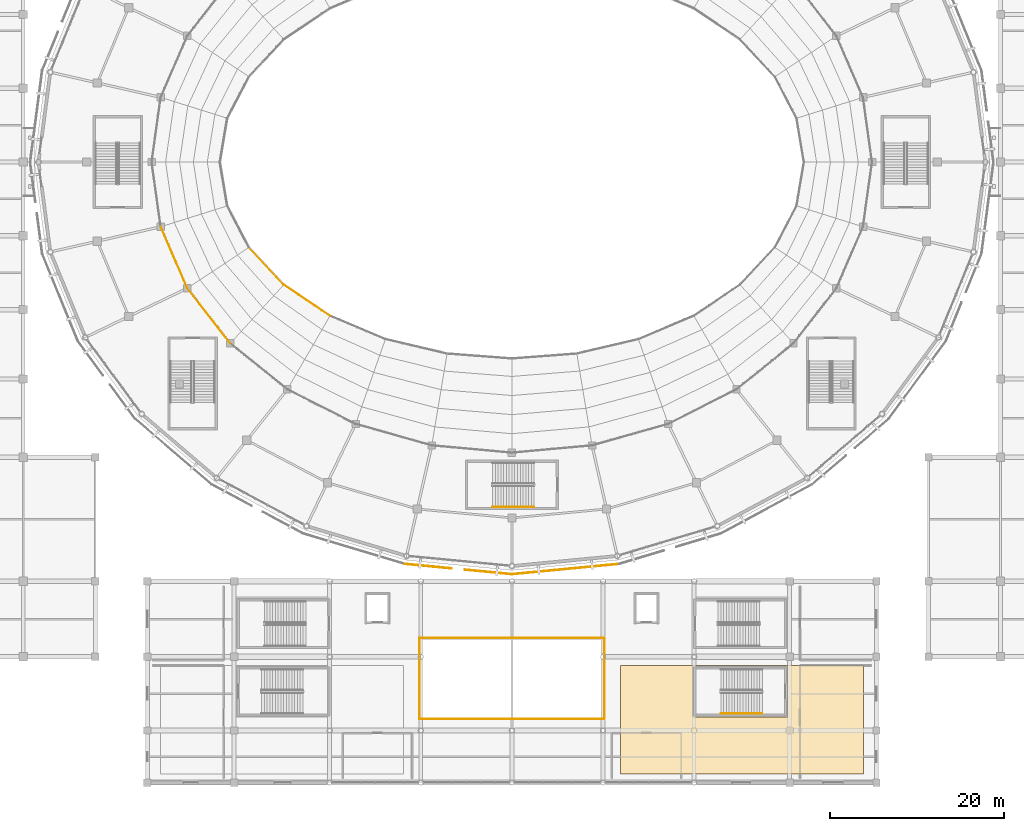
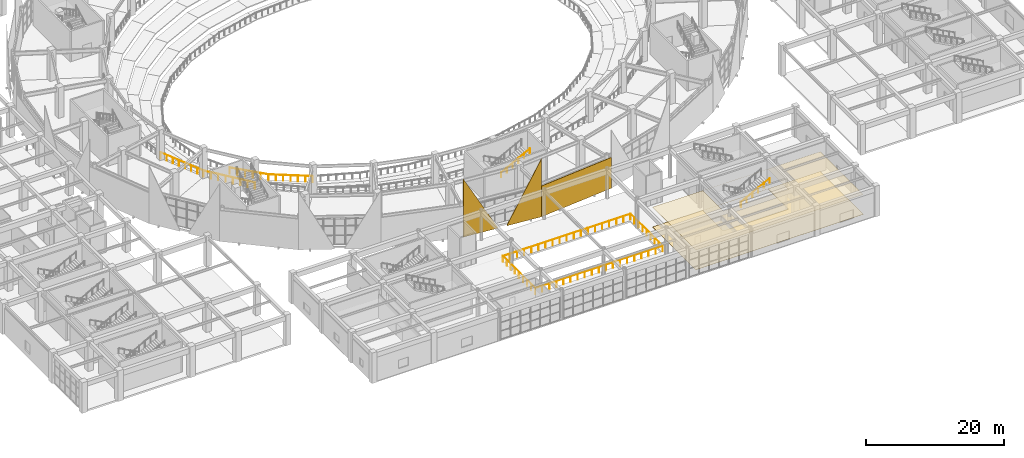
# One storey, part 96 of 120: 10 railings, 5 coverings.
"""IFC4 building model written with IfcOpenShell, lengths in metres."""

from ifc_helpers import new_model, si_unit, direction, frame, frame_2d, origin, origin_2d, place, context, subcontext, project, spatial, polyline, rectangle, circle, outline, extrude, material, layer, layer_set, type_object, element, save


model = new_model("IFC4")

# Units and contexts
model_context = context("Model", 3, precision=1e-05, world=origin(), true_north=direction((0.0, 1.0)))
body_context = subcontext(model_context, "Body", "Model", "MODEL_VIEW")
ifc_project = project(units=[si_unit("LENGTHUNIT", "METRE"), si_unit("AREAUNIT", "SQUARE_METRE"), si_unit("VOLUMEUNIT", "CUBIC_METRE"), si_unit("PLANEANGLEUNIT", "RADIAN"), si_unit("MASSUNIT", "GRAM", prefix="KILO")], contexts=[model_context])

# Site, building, storey
site_placement = place(None, origin())
site = spatial("IfcSite", under=ifc_project, at=site_placement, CompositionType="ELEMENT")
building_placement = place(site_placement, origin())
building = spatial("IfcBuilding", under=site, at=building_placement, Name="Cuetzalor Civic Arena", CompositionType="ELEMENT")
storey_placement = place(building_placement, frame((0.0, 0.0, 6.0)))
storey = spatial("IfcBuildingStorey", under=building, at=storey_placement, Name="L01", CompositionType="ELEMENT", Elevation=6.0)

# Covering
ifc_material_1 = material(Name="Perforated acoustic mineral ceiling board", Category="gypsum")
ifc_layer_1 = layer(ifc_material_1, 0.02490234375)
ifc_layer_set_1 = layer_set([ifc_layer_1], Name="Perforated acoustic mineral ceiling board")
covering_type_1 = type_object("IfcCoveringType", Name="AcousticMineralCeiling_25", PredefinedType="CEILING", material=ifc_layer_set_1)
covering_1_placement = place(storey_placement, frame((0.0, 0.0, 3.5)))
element("IfcCovering", 1, at=covering_1_placement, inside=storey, type_object=covering_type_1, Name="Civic Gallery East Acoustic Ceiling", PredefinedType="CEILING", context=body_context, shape_type="SweptSolid", body=[
    extrude(outline(polyline([(12.5, -58.0), (40.5, -58.0), (40.5, -70.5), (12.5, -70.5), (12.5, -58.0)]), holes=[polyline([(31.75, -63.949951171875), (31.75, -58.050048828125), (20.85009765625, -58.050048828125), (20.85009765625, -63.949951171875), (31.75, -63.949951171875)])]), origin(), (0.0, 0.0, 1.0), 0.02490234375),
])

# Railings
ifc_material_2 = material(Name="Reseda-green Steel S355 and laminated glass guard", Category="steel")
railing_type_1 = type_object("IfcRailingType", Name="BowlSightlineGuard_1100", PredefinedType="BALUSTRADE", material=ifc_material_2)
railing_1_placement = place(storey_placement, frame((-30.317626953125, -9.827392578125, -4.800048828125)))
element("IfcRailing", 2, at=railing_1_placement, inside=storey, type_object=railing_type_1, Name="Lower Bowl Front Sightline Guard S17", PredefinedType="BALUSTRADE", context=body_context, shape_type="SweptSolid", body=[
    extrude(circle(Radius=0.02392578125, at=origin_2d()), frame((0.0, 0.0, 1.076171875), z_axis=(0.68237895225, -0.73099860843, 0.0), x_axis=(0.73099860843, 0.68237895225, 0.0)), (0.0, 0.0, 1.0), 5.875),
    extrude(circle(Radius=0.02099609375, at=origin_2d()), origin(), (0.0, 0.0, 1.0), 1.052001953125),
    extrude(circle(Radius=0.02099609375, at=origin_2d()), frame((0.8017578125, -0.85888671875, 0.0)), (0.0, 0.0, 1.0), 1.052001953125),
    extrude(circle(Radius=0.02099609375, at=origin_2d()), frame((1.603515625, -1.7177734375, 0.0)), (0.0, 0.0, 1.0), 1.052001953125),
    extrude(circle(Radius=0.02099609375, at=origin_2d()), frame((2.405517578125, -2.576904296875, 0.0)), (0.0, 0.0, 1.0), 1.052001953125),
    extrude(circle(Radius=0.02099609375, at=origin_2d()), frame((3.207275390625, -3.435791015625, 0.0)), (0.0, 0.0, 1.0), 1.052001953125),
    extrude(circle(Radius=0.02099609375, at=origin_2d()), frame((4.009033203125, -4.294677734375, 0.0)), (0.0, 0.0, 1.0), 1.052001953125),
])
railing_2_placement = place(storey_placement, frame((-26.30859375, -14.1220703125, -4.800048828125)))
element("IfcRailing", 3, at=railing_2_placement, inside=storey, type_object=railing_type_1, Name="Lower Bowl Front Sightline Guard S18", PredefinedType="BALUSTRADE", context=body_context, shape_type="SweptSolid", body=[
    extrude(circle(Radius=0.02392578125, at=origin_2d()), frame((0.0, 0.0, 1.076171875), z_axis=(0.829574202753, -0.558396491864, 0.0), x_axis=(0.558396491864, 0.829574202753, 0.0)), (0.0, 0.0, 1.0), 6.422607421875),
    extrude(circle(Radius=0.02099609375, at=origin_2d()), origin(), (0.0, 0.0, 1.0), 1.052001953125),
    extrude(circle(Radius=0.02099609375, at=origin_2d()), frame((0.887939453125, -0.59765625, 0.0)), (0.0, 0.0, 1.0), 1.052001953125),
    extrude(circle(Radius=0.02099609375, at=origin_2d()), frame((1.776123046875, -1.195556640625, 0.0)), (0.0, 0.0, 1.0), 1.052001953125),
    extrude(circle(Radius=0.02099609375, at=origin_2d()), frame((2.6640625, -1.793212890625, 0.0)), (0.0, 0.0, 1.0), 1.052001953125),
    extrude(circle(Radius=0.02099609375, at=origin_2d()), frame((3.552001953125, -2.390869140625, 0.0)), (0.0, 0.0, 1.0), 1.052001953125),
    extrude(circle(Radius=0.02099609375, at=origin_2d()), frame((4.440185546875, -2.98876953125, 0.0)), (0.0, 0.0, 1.0), 1.052001953125),
    extrude(circle(Radius=0.02099609375, at=origin_2d()), frame((5.328125, -3.58642578125, 0.0)), (0.0, 0.0, 1.0), 1.052001953125),
])
railing_3_placement = place(storey_placement, frame((-40.45947265625, -7.45458984375, 0.0)))
element("IfcRailing", 4, at=railing_3_placement, inside=storey, type_object=railing_type_1, Name="Lower Bowl Concourse Rim Balustrade S16", PredefinedType="BALUSTRADE", context=body_context, shape_type="SweptSolid", body=[
    extrude(circle(Radius=0.02392578125, at=origin_2d()), frame((0.0, 0.0, 1.076171875), z_axis=(0.397726401809, -0.917504065007, 0.0), x_axis=(0.917504065007, 0.397726401809, 0.0)), (0.0, 0.0, 1.0), 7.71728515625),
    extrude(circle(Radius=0.02099609375, at=origin_2d()), origin(), (0.0, 0.0, 1.0), 1.052001953125),
    extrude(circle(Radius=0.02099609375, at=origin_2d()), frame((0.4384765625, -1.011474609375, 0.0)), (0.0, 0.0, 1.0), 1.052001953125),
    extrude(circle(Radius=0.02099609375, at=origin_2d()), frame((0.876953125, -2.02294921875, 0.0)), (0.0, 0.0, 1.0), 1.052001953125),
    extrude(circle(Radius=0.02099609375, at=origin_2d()), frame((1.3154296875, -3.034423828125, 0.0)), (0.0, 0.0, 1.0), 1.052001953125),
    extrude(circle(Radius=0.02099609375, at=origin_2d()), frame((1.75390625, -4.046142578125, 0.0)), (0.0, 0.0, 1.0), 1.052001953125),
    extrude(circle(Radius=0.02099609375, at=origin_2d()), frame((2.1923828125, -5.0576171875, 0.0)), (0.0, 0.0, 1.0), 1.052001953125),
    extrude(circle(Radius=0.02099609375, at=origin_2d()), frame((2.630859375, -6.069091796875, 0.0)), (0.0, 0.0, 1.0), 1.052001953125),
    extrude(circle(Radius=0.02099609375, at=origin_2d()), frame((3.0693359375, -7.08056640625, 0.0)), (0.0, 0.0, 1.0), 1.052001953125),
])
railing_4_placement = place(storey_placement, frame((-37.39013671875, -14.53515625, 0.0)))
element("IfcRailing", 5, at=railing_4_placement, inside=storey, type_object=railing_type_1, Name="Lower Bowl Concourse Rim Balustrade S17", PredefinedType="BALUSTRADE", context=body_context, shape_type="SweptSolid", body=[
    extrude(circle(Radius=0.02392578125, at=origin_2d()), frame((0.0, 0.0, 1.076171875), z_axis=(0.614234549024, -0.78912351301, 0.0), x_axis=(0.78912351301, 0.614234549024, 0.0)), (0.0, 0.0, 1.0), 8.049072265625),
    extrude(circle(Radius=0.02099609375, at=origin_2d()), origin(), (0.0, 0.0, 1.0), 1.052001953125),
    extrude(circle(Radius=0.02099609375, at=origin_2d()), frame((0.706298828125, -0.907470703125, 0.0)), (0.0, 0.0, 1.0), 1.052001953125),
    extrude(circle(Radius=0.02099609375, at=origin_2d()), frame((1.41259765625, -1.814697265625, 0.0)), (0.0, 0.0, 1.0), 1.052001953125),
    extrude(circle(Radius=0.02099609375, at=origin_2d()), frame((2.118896484375, -2.72216796875, 0.0)), (0.0, 0.0, 1.0), 1.052001953125),
    extrude(circle(Radius=0.02099609375, at=origin_2d()), frame((2.8251953125, -3.629638671875, 0.0)), (0.0, 0.0, 1.0), 1.052001953125),
    extrude(circle(Radius=0.02099609375, at=origin_2d()), frame((3.531494140625, -4.537109375, 0.0)), (0.0, 0.0, 1.0), 1.052001953125),
    extrude(circle(Radius=0.02099609375, at=origin_2d()), frame((4.23779296875, -5.4443359375, 0.0)), (0.0, 0.0, 1.0), 1.052001953125),
    extrude(circle(Radius=0.02099609375, at=origin_2d()), frame((4.944091796875, -6.351806640625, 0.0)), (0.0, 0.0, 1.0), 1.052001953125),
])
ifc_material_3 = material(Name="Reseda-green architectural Steel S355 balustrade", Category="steel")
railing_type_2 = type_object("IfcRailingType", Name="InteriorVoidBalustrade_1100", PredefinedType="BALUSTRADE", material=ifc_material_3)
railing_5_placement = place(storey_placement, frame((-10.64990234375, -64.14990234375, 0.0)))
element("IfcRailing", 6, at=railing_5_placement, inside=storey, type_object=railing_type_2, Name="South Foyer Atrium Void Balustrade L01-1", PredefinedType="BALUSTRADE", context=body_context, shape_type="SweptSolid", body=[
    extrude(circle(Radius=0.02392578125, at=origin_2d()), frame((0.0, 0.0, 1.076171875), z_axis=(1.0, 0.0, 0.0), x_axis=(0.0, 1.0, 0.0)), (0.0, 0.0, 1.0), 21.2998046875),
    extrude(circle(Radius=0.02099609375, at=origin_2d()), origin(), (0.0, 0.0, 1.0), 1.052001953125),
    extrude(circle(Radius=0.02099609375, at=origin_2d()), frame((1.183349609375, 0.0, 0.0)), (0.0, 0.0, 1.0), 1.052001953125),
    extrude(circle(Radius=0.02099609375, at=origin_2d()), frame((2.36669921875, 0.0, 0.0)), (0.0, 0.0, 1.0), 1.052001953125),
    extrude(circle(Radius=0.02099609375, at=origin_2d()), frame((3.550048828125, 0.0, 0.0)), (0.0, 0.0, 1.0), 1.052001953125),
    extrude(circle(Radius=0.02099609375, at=origin_2d()), frame((4.7333984375, 0.0, 0.0)), (0.0, 0.0, 1.0), 1.052001953125),
    extrude(circle(Radius=0.02099609375, at=origin_2d()), frame((5.91650390625, 0.0, 0.0)), (0.0, 0.0, 1.0), 1.052001953125),
    extrude(circle(Radius=0.02099609375, at=origin_2d()), frame((7.099853515625, 0.0, 0.0)), (0.0, 0.0, 1.0), 1.052001953125),
    extrude(circle(Radius=0.02099609375, at=origin_2d()), frame((8.283203125, 0.0, 0.0)), (0.0, 0.0, 1.0), 1.052001953125),
    extrude(circle(Radius=0.02099609375, at=origin_2d()), frame((9.466552734375, 0.0, 0.0)), (0.0, 0.0, 1.0), 1.052001953125),
    extrude(circle(Radius=0.02099609375, at=origin_2d()), frame((10.64990234375, 0.0, 0.0)), (0.0, 0.0, 1.0), 1.052001953125),
    extrude(circle(Radius=0.02099609375, at=origin_2d()), frame((11.833251953125, 0.0, 0.0)), (0.0, 0.0, 1.0), 1.052001953125),
    extrude(circle(Radius=0.02099609375, at=origin_2d()), frame((13.0166015625, 0.0, 0.0)), (0.0, 0.0, 1.0), 1.052001953125),
    extrude(circle(Radius=0.02099609375, at=origin_2d()), frame((14.199951171875, 0.0, 0.0)), (0.0, 0.0, 1.0), 1.052001953125),
    extrude(circle(Radius=0.02099609375, at=origin_2d()), frame((15.38330078125, 0.0, 0.0)), (0.0, 0.0, 1.0), 1.052001953125),
    extrude(circle(Radius=0.02099609375, at=origin_2d()), frame((16.56640625, 0.0, 0.0)), (0.0, 0.0, 1.0), 1.052001953125),
    extrude(circle(Radius=0.02099609375, at=origin_2d()), frame((17.749755859375, 0.0, 0.0)), (0.0, 0.0, 1.0), 1.052001953125),
    extrude(circle(Radius=0.02099609375, at=origin_2d()), frame((18.93310546875, 0.0, 0.0)), (0.0, 0.0, 1.0), 1.052001953125),
    extrude(circle(Radius=0.02099609375, at=origin_2d()), frame((20.116455078125, 0.0, 0.0)), (0.0, 0.0, 1.0), 1.052001953125),
    extrude(circle(Radius=0.02099609375, at=origin_2d()), frame((21.2998046875, 0.0, 0.0)), (0.0, 0.0, 1.0), 1.052001953125),
])
railing_6_placement = place(storey_placement, frame((10.64990234375, -64.14990234375, 0.0)))
element("IfcRailing", 7, at=railing_6_placement, inside=storey, type_object=railing_type_2, Name="South Foyer Atrium Void Balustrade L01-2", PredefinedType="BALUSTRADE", context=body_context, shape_type="SweptSolid", body=[
    extrude(circle(Radius=0.02392578125, at=origin_2d()), frame((0.0, 0.0, 1.076171875), z_axis=(0.0, 1.0, 0.0), x_axis=(-1.0, 0.0, 0.0)), (0.0, 0.0, 1.0), 9.2998046875),
    extrude(circle(Radius=0.02099609375, at=origin_2d()), origin(), (0.0, 0.0, 1.0), 1.052001953125),
    extrude(circle(Radius=0.02099609375, at=origin_2d()), frame((0.0, 1.16259765625, 0.0)), (0.0, 0.0, 1.0), 1.052001953125),
    extrude(circle(Radius=0.02099609375, at=origin_2d()), frame((0.0, 2.324951171875, 0.0)), (0.0, 0.0, 1.0), 1.052001953125),
    extrude(circle(Radius=0.02099609375, at=origin_2d()), frame((0.0, 3.4873046875, 0.0)), (0.0, 0.0, 1.0), 1.052001953125),
    extrude(circle(Radius=0.02099609375, at=origin_2d()), frame((0.0, 4.64990234375, 0.0)), (0.0, 0.0, 1.0), 1.052001953125),
    extrude(circle(Radius=0.02099609375, at=origin_2d()), frame((0.0, 5.8125, 0.0)), (0.0, 0.0, 1.0), 1.052001953125),
    extrude(circle(Radius=0.02099609375, at=origin_2d()), frame((0.0, 6.974853515625, 0.0)), (0.0, 0.0, 1.0), 1.052001953125),
    extrude(circle(Radius=0.02099609375, at=origin_2d()), frame((0.0, 8.13720703125, 0.0)), (0.0, 0.0, 1.0), 1.052001953125),
    extrude(circle(Radius=0.02099609375, at=origin_2d()), frame((0.0, 9.2998046875, 0.0)), (0.0, 0.0, 1.0), 1.052001953125),
])
railing_7_placement = place(storey_placement, frame((10.64990234375, -54.85009765625, 0.0)))
element("IfcRailing", 8, at=railing_7_placement, inside=storey, type_object=railing_type_2, Name="South Foyer Atrium Void Balustrade L01-3", PredefinedType="BALUSTRADE", context=body_context, shape_type="SweptSolid", body=[
    extrude(circle(Radius=0.02392578125, at=origin_2d()), frame((0.0, 0.0, 1.076171875), z_axis=(-1.0, 0.0, 0.0), x_axis=(0.0, -1.0, 0.0)), (0.0, 0.0, 1.0), 21.2998046875),
    extrude(circle(Radius=0.02099609375, at=origin_2d()), origin(), (0.0, 0.0, 1.0), 1.052001953125),
    extrude(circle(Radius=0.02099609375, at=origin_2d()), frame((-1.183349609375, 0.0, 0.0)), (0.0, 0.0, 1.0), 1.052001953125),
    extrude(circle(Radius=0.02099609375, at=origin_2d()), frame((-2.36669921875, 0.0, 0.0)), (0.0, 0.0, 1.0), 1.052001953125),
    extrude(circle(Radius=0.02099609375, at=origin_2d()), frame((-3.550048828125, 0.0, 0.0)), (0.0, 0.0, 1.0), 1.052001953125),
    extrude(circle(Radius=0.02099609375, at=origin_2d()), frame((-4.7333984375, 0.0, 0.0)), (0.0, 0.0, 1.0), 1.052001953125),
    extrude(circle(Radius=0.02099609375, at=origin_2d()), frame((-5.91650390625, 0.0, 0.0)), (0.0, 0.0, 1.0), 1.052001953125),
    extrude(circle(Radius=0.02099609375, at=origin_2d()), frame((-7.099853515625, 0.0, 0.0)), (0.0, 0.0, 1.0), 1.052001953125),
    extrude(circle(Radius=0.02099609375, at=origin_2d()), frame((-8.283203125, 0.0, 0.0)), (0.0, 0.0, 1.0), 1.052001953125),
    extrude(circle(Radius=0.02099609375, at=origin_2d()), frame((-9.466552734375, 0.0, 0.0)), (0.0, 0.0, 1.0), 1.052001953125),
    extrude(circle(Radius=0.02099609375, at=origin_2d()), frame((-10.64990234375, 0.0, 0.0)), (0.0, 0.0, 1.0), 1.052001953125),
    extrude(circle(Radius=0.02099609375, at=origin_2d()), frame((-11.833251953125, 0.0, 0.0)), (0.0, 0.0, 1.0), 1.052001953125),
    extrude(circle(Radius=0.02099609375, at=origin_2d()), frame((-13.0166015625, 0.0, 0.0)), (0.0, 0.0, 1.0), 1.052001953125),
    extrude(circle(Radius=0.02099609375, at=origin_2d()), frame((-14.199951171875, 0.0, 0.0)), (0.0, 0.0, 1.0), 1.052001953125),
    extrude(circle(Radius=0.02099609375, at=origin_2d()), frame((-15.38330078125, 0.0, 0.0)), (0.0, 0.0, 1.0), 1.052001953125),
    extrude(circle(Radius=0.02099609375, at=origin_2d()), frame((-16.56640625, 0.0, 0.0)), (0.0, 0.0, 1.0), 1.052001953125),
    extrude(circle(Radius=0.02099609375, at=origin_2d()), frame((-17.749755859375, 0.0, 0.0)), (0.0, 0.0, 1.0), 1.052001953125),
    extrude(circle(Radius=0.02099609375, at=origin_2d()), frame((-18.93310546875, 0.0, 0.0)), (0.0, 0.0, 1.0), 1.052001953125),
    extrude(circle(Radius=0.02099609375, at=origin_2d()), frame((-20.116455078125, 0.0, 0.0)), (0.0, 0.0, 1.0), 1.052001953125),
    extrude(circle(Radius=0.02099609375, at=origin_2d()), frame((-21.2998046875, 0.0, 0.0)), (0.0, 0.0, 1.0), 1.052001953125),
])
railing_8_placement = place(storey_placement, frame((-10.64990234375, -54.85009765625, 0.0)))
element("IfcRailing", 9, at=railing_8_placement, inside=storey, type_object=railing_type_2, Name="South Foyer Atrium Void Balustrade L01-4", PredefinedType="BALUSTRADE", context=body_context, shape_type="SweptSolid", body=[
    extrude(circle(Radius=0.02392578125, at=origin_2d()), frame((0.0, 0.0, 1.076171875), z_axis=(0.0, -1.0, 0.0), x_axis=(1.0, 0.0, 0.0)), (0.0, 0.0, 1.0), 9.2998046875),
    extrude(circle(Radius=0.02099609375, at=origin_2d()), origin(), (0.0, 0.0, 1.0), 1.052001953125),
    extrude(circle(Radius=0.02099609375, at=origin_2d()), frame((0.0, -1.16259765625, 0.0)), (0.0, 0.0, 1.0), 1.052001953125),
    extrude(circle(Radius=0.02099609375, at=origin_2d()), frame((0.0, -2.324951171875, 0.0)), (0.0, 0.0, 1.0), 1.052001953125),
    extrude(circle(Radius=0.02099609375, at=origin_2d()), frame((0.0, -3.4873046875, 0.0)), (0.0, 0.0, 1.0), 1.052001953125),
    extrude(circle(Radius=0.02099609375, at=origin_2d()), frame((0.0, -4.64990234375, 0.0)), (0.0, 0.0, 1.0), 1.052001953125),
    extrude(circle(Radius=0.02099609375, at=origin_2d()), frame((0.0, -5.8125, 0.0)), (0.0, 0.0, 1.0), 1.052001953125),
    extrude(circle(Radius=0.02099609375, at=origin_2d()), frame((0.0, -6.974853515625, 0.0)), (0.0, 0.0, 1.0), 1.052001953125),
    extrude(circle(Radius=0.02099609375, at=origin_2d()), frame((0.0, -8.13720703125, 0.0)), (0.0, 0.0, 1.0), 1.052001953125),
    extrude(circle(Radius=0.02099609375, at=origin_2d()), frame((0.0, -9.2998046875, 0.0)), (0.0, 0.0, 1.0), 1.052001953125),
])

# Covering
ifc_material_4 = material(Name="Honed Puebla marble and basalt terrazzo flooring", Category="masonry")
ifc_layer_2 = layer(ifc_material_4, 0.030029296875)
ifc_layer_set_2 = layer_set([ifc_layer_2], Name="Honed Puebla marble and basalt terrazzo flooring")
covering_type_2 = type_object("IfcCoveringType", Name="PoblanoTerrazzoFlooring_30", PredefinedType="FLOORING", material=ifc_layer_set_2)
covering_2_placement = place(storey_placement, origin())
element("IfcCovering", 10, at=covering_2_placement, inside=storey, type_object=covering_type_2, Name="Civic Gallery East Terrazzo", PredefinedType="FLOORING", context=body_context, shape_type="SweptSolid", body=[
    extrude(outline(polyline([(12.5, -58.0), (40.5, -58.0), (40.5, -70.5), (12.5, -70.5), (12.5, -58.0)]), holes=[polyline([(31.75, -63.949951171875), (31.75, -58.050048828125), (20.85009765625, -58.050048828125), (20.85009765625, -63.949951171875), (31.75, -63.949951171875)])]), origin(), (0.0, 0.0, 1.0), 0.030029296875),
])

# Railings
ifc_material_5 = material(Name="Galvanised steel S355", Category="steel")
railing_type_3 = type_object("IfcRailingType", Name="StairPitchHandrail_900", PredefinedType="HANDRAIL", material=ifc_material_5)
for number, where, name in (
    (11, (-2.219970703125, -39.75, 2.86865234375), "L01 ST-07 stair handrail 2"),
    (12, (24.080078125, -63.550048828125, 2.86865234375), "L01 ST-12 stair handrail 2"),
):
    element("IfcRailing", number, at=place(storey_placement, frame(where)), inside=storey, type_object=railing_type_3, Name=name, PredefinedType="HANDRAIL", context=body_context, shape_type="SweptSolid", body=[
        extrude(circle(Radius=0.02392578125, at=origin_2d()), frame((0.0, 0.0, 0.8759765625), z_axis=(0.883332211103, 0.0, 0.468747485143), x_axis=(0.0, 1.0, 0.0)), (0.0, 0.0, 1.0), 5.400146484375),
        extrude(circle(Radius=0.02099609375, at=origin_2d()), origin(), (0.0, 0.0, 1.0), 0.851806640625),
        extrude(circle(Radius=0.02099609375, at=origin_2d()), frame((0.9541015625, 0.0, 0.50634765625)), (0.0, 0.0, 1.0), 0.851806640625),
        extrude(circle(Radius=0.02099609375, at=origin_2d()), frame((1.907958984375, 0.0, 1.012451171875)), (0.0, 0.0, 1.0), 0.851806640625),
        extrude(circle(Radius=0.02099609375, at=origin_2d()), frame((2.862060546875, 0.0, 1.518798828125)), (0.0, 0.0, 1.0), 0.851806640625),
        extrude(circle(Radius=0.02099609375, at=origin_2d()), frame((3.81591796875, 0.0, 2.02490234375)), (0.0, 0.0, 1.0), 0.851806640625),
        extrude(circle(Radius=0.02099609375, at=origin_2d()), frame((4.77001953125, 0.0, 2.53125)), (0.0, 0.0, 1.0), 0.851806640625),
    ])

# Coverings
ifc_material_6 = material(Name="Terracotta-red perforated anodised aluminium panel", Category="masonry")
ifc_layer_3 = layer(ifc_material_6, 0.080078125)
ifc_layer_set_3 = layer_set([ifc_layer_3], Name="Terracotta-red perforated anodised aluminium panel")
covering_type_3 = type_object("IfcCoveringType", Name="TerracottaPerforatedScreenPanel", PredefinedType="CLADDING", material=ifc_layer_set_3)
covering_3_placement = place(storey_placement, frame((0.0, -47.5, -0.14990234375), z_axis=(0.0, 0.0, 1.0), x_axis=(-0.995384251372, 0.095969745864, 0.0)))
element("IfcCovering", 13, at=covering_3_placement, inside=storey, type_object=covering_type_3, Name="Terracotta Perforated Triangle Cheek Left S21", PredefinedType="CLADDING", context=body_context, shape_type="SweptSolid", body=[
    extrude(outline(polyline([(0.0, 0.0), (5.459228515625, 0.0), (5.459228515625, 0.139892578125), (0.0, 10.22998046875), (0.0, 0.0)])), frame((0.0, 0.0400390625, 0.0), z_axis=(0.0, -1.0, 0.0), x_axis=(1.0, 0.0, 0.0)), (0.0, 0.0, 1.0), 0.080078125),
])
covering_4_placement = place(storey_placement, frame((-6.916015625, -46.8330078125, -0.14990234375), z_axis=(0.0, 0.0, 1.0), x_axis=(-0.995383839462, 0.095974018039, 0.0)))
element("IfcCovering", 14, at=covering_4_placement, inside=storey, type_object=covering_type_3, Name="Terracotta Perforated Triangle Cheek Right S21", PredefinedType="CLADDING", context=body_context, shape_type="SweptSolid", body=[
    extrude(outline(polyline([(0.0, 0.0), (5.458984375, 0.0), (5.459228515625, 10.22998046875), (0.0, 0.139892578125), (0.0, 0.0)])), frame((0.0, 0.0400390625, 0.0), z_axis=(0.0, -1.0, 0.0), x_axis=(1.0, 0.0, 0.0)), (0.0, 0.0, 1.0), 0.080078125),
])
covering_5_placement = place(storey_placement, frame((12.349853515625, -46.30908203125, -0.14990234375), z_axis=(0.0, 0.0, 1.0), x_axis=(-0.995382637025, -0.095986488157, 0.0)))
element("IfcCovering", 15, at=covering_5_placement, inside=storey, type_object=covering_type_3, Name="Terracotta Perforated Drum Screen L01-S22", PredefinedType="CLADDING", context=body_context, shape_type="SweptSolid", body=[
    extrude(rectangle(XDim=12.4072265625, YDim=0.080078125, at=frame_2d((6.20361328125, 0.0))), origin(), (0.0, 0.0, 1.0), 5.429931640625),
])

save(model, "model.ifc")
